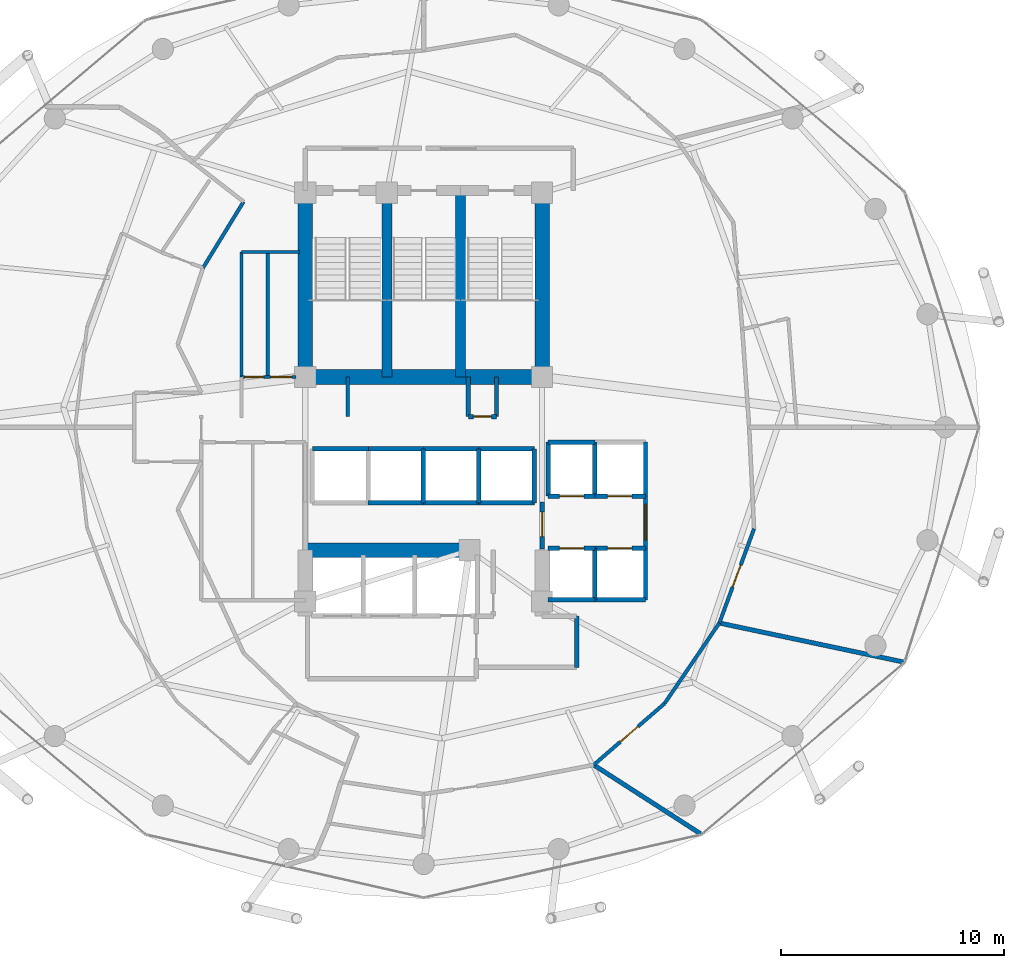
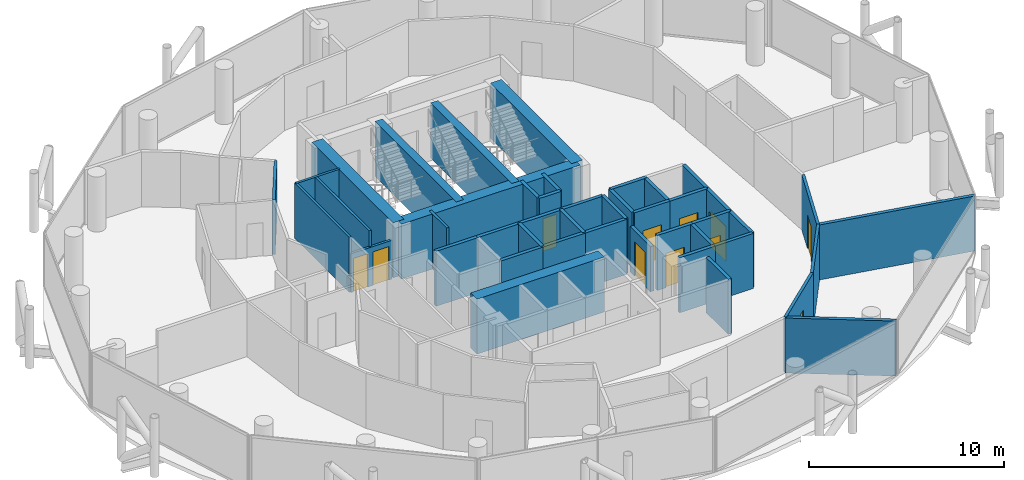
# One storey, part 23 of 26: 45 walls, 11 doors, 11 openings.
"""IFC4 building model written with IfcOpenShell, lengths in metres."""

from ifc_helpers import new_model, si_unit, direction, frame, frame_2d, origin, place, context, subcontext, project, spatial, rectangle, extrude, material, layer, layer_set, type_object, element, fill, save


model = new_model("IFC4")

# Units and contexts
model_context = context("Model", 3, precision=1e-05, world=origin(), true_north=direction((0.0, 1.0)))
body_context = subcontext(model_context, "Body", "Model", "MODEL_VIEW")
ifc_project = project(units=[si_unit("LENGTHUNIT", "METRE"), si_unit("AREAUNIT", "SQUARE_METRE"), si_unit("VOLUMEUNIT", "CUBIC_METRE"), si_unit("PLANEANGLEUNIT", "RADIAN"), si_unit("MASSUNIT", "GRAM", prefix="KILO")], contexts=[model_context])

# Site, building, storey
site_placement = place(None, origin())
site = spatial("IfcSite", under=ifc_project, at=site_placement, CompositionType="ELEMENT")
building_placement = place(site_placement, origin())
building = spatial("IfcBuilding", under=site, at=building_placement, Name="Nuhasar Tower", CompositionType="ELEMENT")
storey_placement = place(building_placement, frame((0.0, 0.0, 181.14990234375)))
storey = spatial("IfcBuildingStorey", under=building, at=storey_placement, Name="L44", CompositionType="ELEMENT", Elevation=181.14990234375)

# Walls
ifc_material_1 = material(Name="Concrete C50/60", Category="concrete")
ifc_layer_1 = layer(ifc_material_1, 0.449951171875)
ifc_layer_set_1 = layer_set([ifc_layer_1], Name="Concrete C50/60")
wall_type_1 = type_object("IfcWallType", Name="WL-CORE-450", PredefinedType="SHEAR", material=ifc_layer_set_1)
for number, where, z_axis, x_axis, name in (
    (1, (37.35009765625, 29.050048828125, 0.0), (0.0, 0.0, 1.0), (0.0, 1.0, 0.0), "L44 Stairwell Shear Wall ST01-E"),
    (2, (40.64990234375, 29.050048828125, 0.0), (0.0, 0.0, 1.0), (0.0, 1.0, 0.0), "L44 Stairwell Shear Wall ST03-E"),
):
    element("IfcWall", number, at=place(storey_placement, frame(where, z_axis=z_axis, x_axis=x_axis)), inside=storey, type_object=wall_type_1, Name=name, PredefinedType="SHEAR", context=body_context, shape_type="SweptSolid", body=[
        extrude(rectangle(XDim=8.349853515625, YDim=0.449951171875, at=frame_2d((4.1748046875, 0.0))), origin(), (0.0, 0.0, 1.0), 3.4501953125),
    ])
ifc_material_2 = material(Name="Concrete C65/80", Category="concrete")
ifc_layer_2 = layer(ifc_material_2, 0.64990234375)
ifc_layer_set_2 = layer_set([ifc_layer_2], Name="Concrete C65/80")
wall_type_2 = type_object("IfcWallType", Name="WL-CORE-650", PredefinedType="SHEAR", material=ifc_layer_set_2)
for number, where, z_axis, x_axis, name in (
    (3, (33.699951171875, 29.050048828125, 0.0), (0.0, 0.0, 1.0), (0.0, 1.0, 0.0), "L44 Core Shear Wall CW-NW CW-650"),
    (4, (44.300048828125, 29.050048828125, 0.0), (0.0, 0.0, 1.0), (0.0, 1.0, 0.0), "L44 Core Shear Wall CW-NE CW-650"),
):
    element("IfcWall", number, at=place(storey_placement, frame(where, z_axis=z_axis, x_axis=x_axis)), inside=storey, type_object=wall_type_2, Name=name, PredefinedType="SHEAR", context=body_context, shape_type="SweptSolid", body=[
        extrude(rectangle(XDim=8.349853515625, YDim=0.64990234375, at=frame_2d((4.1748046875, 0.0))), origin(), (0.0, 0.0, 1.0), 3.4501953125),
    ])
wall_1_placement = place(storey_placement, frame((33.699951171875, 29.050048828125, 0.0), z_axis=(0.0, 0.0, 1.0), x_axis=(1.0, 0.0, 0.0)))
element("IfcWall", 5, at=wall_1_placement, inside=storey, type_object=wall_type_2, Name="L44 Core Shear Wall CW-N1 CW-650", PredefinedType="SHEAR", context=body_context, shape_type="SweptSolid", body=[
    extrude(rectangle(XDim=10.60009765625, YDim=0.64990234375, at=frame_2d((5.300048828125, 0.0))), origin(), (0.0, 0.0, 1.0), 3.4501953125),
])
wall_2_placement = place(storey_placement, frame((33.699951171875, 21.300048828125, 0.0), z_axis=(0.0, 0.0, 1.0), x_axis=(1.0, 0.0, 0.0)))
element("IfcWall", 6, at=wall_2_placement, inside=storey, type_object=wall_type_2, Name="L44 Core Shear Wall CW-S1 CW-650", PredefinedType="SHEAR", context=body_context, shape_type="SweptSolid", body=[
    extrude(rectangle(XDim=7.550048828125, YDim=0.64990234375, at=frame_2d((3.77490234375, 0.0))), origin(), (0.0, 0.0, 1.0), 3.4501953125),
])

# Wall, opening, door
ifc_material_3 = material(Name="Gypsum Board", Category="gypsum")
ifc_layer_3 = layer(ifc_material_3, 0.159912109375)
ifc_layer_set_3 = layer_set([ifc_layer_3], Name="Gypsum Board")
wall_type_3 = type_object("IfcWallType", Name="WL-CORR-160", PredefinedType="PARTITIONING", material=ifc_layer_set_3)
wall_3_placement = place(storey_placement, frame((49.782958984375, 14.43505859375, 0.0), z_axis=(0.0, 0.0, 1.0), x_axis=(-0.755896308725, -0.65469135511, 0.0)))
wall_3 = element("IfcWall", 7, at=wall_3_placement, inside=storey, type_object=wall_type_3, Name="L44 Interior Partition CORR-40", PredefinedType="PARTITIONING", context=body_context, shape_type="SweptSolid", body=[
    extrude(rectangle(XDim=4.197509765625, YDim=0.159912109375, at=frame_2d((2.0986328125, 0.0))), origin(), (0.0, 0.0, 1.0), 3.4501953125),
])
opening_1_placement = place(wall_3_placement, frame((1.573974609375, 0.0, 0.0)))
opening_1 = element("IfcOpeningElement", 8, at=opening_1_placement, cuts=wall_3, Name="Opening DU-01", PredefinedType="OPENING", context=body_context, shape_type="SweptSolid", body=[
    extrude(rectangle(XDim=1.050048828125, YDim=2.14990234375, at=frame_2d((0.52490234375, 1.074951171875))), frame((0.0, 0.08984375, 0.0), z_axis=(0.0, -1.0, 0.0), x_axis=(1.0, 0.0, 0.0)), (0.0, 0.0, 1.0), 0.179931640625),
])
ifc_material_4 = material(Name="Timber Oak", Category="wood")
door_type_1 = type_object("IfcDoorType", Name="DR-SUITE-FD60-1050", OperationType="NOTDEFINED", PredefinedType="DOOR", material=ifc_material_4)
door_1_placement = place(opening_1_placement, origin())
door_1 = element("IfcDoor", 9, at=door_1_placement, inside=storey, type_object=door_type_1, Name="L44 Artisan Gift Boutique Entrance Door", OperationType="SINGLE_SWING_RIGHT", OverallHeight=2.14990234375, OverallWidth=1.050048828125, PredefinedType="DOOR", context=body_context, shape_type="SweptSolid", body=[
    extrude(rectangle(XDim=1.050048828125, YDim=2.14990234375, at=frame_2d((0.52490234375, 1.074951171875))), frame((0.0, 0.02490234375, 0.0), z_axis=(0.0, -1.0, 0.0), x_axis=(1.0, 0.0, 0.0)), (0.0, 0.0, 1.0), 0.050048828125),
])
fill(opening_1, door_1)

# Wall
wall_4_placement = place(storey_placement, frame((49.782958984375, 14.43505859375, 0.0), z_axis=(0.0, 0.0, 1.0), x_axis=(0.562637868463, 0.826703471005, 0.0)))
element("IfcWall", 10, at=wall_4_placement, inside=storey, type_object=wall_type_3, Name="L44 Interior Partition CORR-42", PredefinedType="PARTITIONING", context=body_context, shape_type="SweptSolid", body=[
    extrude(rectangle(XDim=4.3583984375, YDim=0.159912109375, at=frame_2d((2.17919921875, 0.0))), origin(), (0.0, 0.0, 1.0), 3.4501953125),
])

# Wall, opening, door
wall_5_placement = place(storey_placement, frame((53.7880859375, 22.256103515625, 0.0), z_axis=(0.0, 0.0, 1.0), x_axis=(-0.345503984286, -0.938417282898, 0.0)))
wall_5 = element("IfcWall", 11, at=wall_5_placement, inside=storey, type_object=wall_type_3, Name="L44 Interior Partition CORR-44", PredefinedType="PARTITIONING", context=body_context, shape_type="SweptSolid", body=[
    extrude(rectangle(XDim=4.494873046875, YDim=0.159912109375, at=frame_2d((2.24755859375, 0.0))), origin(), (0.0, 0.0, 1.0), 3.4501953125),
])
opening_2_placement = place(wall_5_placement, frame((1.721923828125, 0.0, 0.0)))
opening_2 = element("IfcOpeningElement", 12, at=opening_2_placement, cuts=wall_5, Name="Opening DU-01", PredefinedType="OPENING", context=body_context, shape_type="SweptSolid", body=[
    extrude(rectangle(XDim=1.050048828125, YDim=2.14990234375, at=frame_2d((0.52490234375, 1.074951171875))), frame((0.0, 0.08984375, 0.0), z_axis=(0.0, -1.0, 0.0), x_axis=(1.0, 0.0, 0.0)), (0.0, 0.0, 1.0), 0.179931640625),
])
door_2_placement = place(opening_2_placement, origin())
door_2 = element("IfcDoor", 13, at=door_2_placement, inside=storey, type_object=door_type_1, Name="L44 Red Sea Pearl Showroom Entrance Door", OperationType="SINGLE_SWING_RIGHT", OverallHeight=2.14990234375, OverallWidth=1.050048828125, PredefinedType="DOOR", context=body_context, shape_type="SweptSolid", body=[
    extrude(rectangle(XDim=1.050048828125, YDim=2.14990234375, at=frame_2d((0.52490234375, 1.074951171875))), frame((0.0, 0.02490234375, 0.0), z_axis=(0.0, -1.0, 0.0), x_axis=(1.0, 0.0, 0.0)), (0.0, 0.0, 1.0), 0.050048828125),
])
fill(opening_2, door_2)

# Wall
wall_6_placement = place(storey_placement, frame((30.93896484375, 36.89697265625, 0.0), z_axis=(0.0, 0.0, 1.0), x_axis=(-0.522486120877, -0.852647789823, 0.0)))
element("IfcWall", 14, at=wall_6_placement, inside=storey, type_object=wall_type_3, Name="L44 Interior Partition HWEST-CORE-N-18", PredefinedType="PARTITIONING", context=body_context, shape_type="SweptSolid", body=[
    extrude(rectangle(XDim=3.468017578125, YDim=0.159912109375, at=frame_2d((1.73388671875, 0.0))), origin(), (0.0, 0.0, 1.0), 3.4501953125),
])

# Wall, opening, door
ifc_material_5 = material(Name="Concrete C45/55", Category="concrete")
ifc_layer_4 = layer(ifc_material_5, 0.199951171875)
ifc_layer_set_4 = layer_set([ifc_layer_4], Name="Concrete C45/55")
wall_type_4 = type_object("IfcWallType", Name="WL-LOBBY-200", PredefinedType="SOLIDWALL", material=ifc_layer_set_4)
wall_7_placement = place(storey_placement, frame((48.929931640625, 21.3798828125, 0.0), z_axis=(0.0, 0.0, 1.0), x_axis=(0.0, 1.0, 0.0)))
wall_7 = element("IfcWall", 15, at=wall_7_placement, inside=storey, type_object=wall_type_4, Name="L44 Interior Partition LLBM-E", PredefinedType="SOLIDWALL", context=body_context, shape_type="SweptSolid", body=[
    extrude(rectangle(XDim=2.340087890625, YDim=0.199951171875, at=frame_2d((1.169921875, 0.0))), origin(), (0.0, 0.0, 1.0), 3.4501953125),
])
opening_3_placement = place(wall_7_placement, frame((0.3701171875, 0.0, 0.0)))
opening_3 = element("IfcOpeningElement", 16, at=opening_3_placement, cuts=wall_7, Name="Opening DC-01", PredefinedType="OPENING", context=body_context, shape_type="SweptSolid", body=[
    extrude(rectangle(XDim=1.60009765625, YDim=2.199951171875, at=frame_2d((0.800048828125, 1.10009765625))), frame((0.0, 0.10986328125, 0.0), z_axis=(0.0, -1.0, 0.0), x_axis=(1.0, 0.0, 0.0)), (0.0, 0.0, 1.0), 0.219970703125),
])
ifc_material_6 = material(Name="Steel S355", Category="steel")
door_type_2 = type_object("IfcDoorType", Name="DR-CORR-FD60-1600", OperationType="DOUBLE_DOOR_SINGLE_SWING", PredefinedType="DOOR", material=ifc_material_6)
door_3_placement = place(opening_3_placement, origin())
door_3 = element("IfcDoor", 17, at=door_3_placement, inside=storey, type_object=door_type_2, Name="L44 Mid-Rise Lift Lobby East Entry", OperationType="DOUBLE_DOOR_SINGLE_SWING", OverallHeight=2.199951171875, OverallWidth=1.60009765625, PredefinedType="DOOR", context=body_context, shape_type="SweptSolid", body=[
    extrude(rectangle(XDim=1.60009765625, YDim=2.199951171875, at=frame_2d((0.800048828125, 1.10009765625))), frame((0.0, 0.02490234375, 0.0), z_axis=(0.0, -1.0, 0.0), x_axis=(1.0, 0.0, 0.0)), (0.0, 0.0, 1.0), 0.050048828125),
])
fill(opening_3, door_3)

wall_8_placement = place(storey_placement, frame((44.300048828125, 21.35009765625, 0.0), z_axis=(0.0, 0.0, 1.0), x_axis=(0.0, 1.0, 0.0)))
wall_8 = element("IfcWall", 18, at=wall_8_placement, inside=storey, type_object=wall_type_4, Name="L44 Interior Partition LLBH-E", PredefinedType="SOLIDWALL", context=body_context, shape_type="SweptSolid", body=[
    extrude(rectangle(XDim=2.099853515625, YDim=0.199951171875, at=frame_2d((1.0498046875, 0.0))), origin(), (0.0, 0.0, 1.0), 2.835205078125),
])
opening_4_placement = place(wall_8_placement, frame((0.550048828125, 0.0, 0.0)))
opening_4 = element("IfcOpeningElement", 19, at=opening_4_placement, cuts=wall_8, Name="Opening DS-02", PredefinedType="OPENING", context=body_context, shape_type="SweptSolid", body=[
    extrude(rectangle(XDim=1.10009765625, YDim=2.14990234375, at=frame_2d((0.550048828125, 1.074951171875))), frame((0.0, 0.10986328125, 0.0), z_axis=(0.0, -1.0, 0.0), x_axis=(1.0, 0.0, 0.0)), (0.0, 0.0, 1.0), 0.219970703125),
])
door_type_3 = type_object("IfcDoorType", Name="DR-FFL-FD120-1100", OperationType="NOTDEFINED", PredefinedType="DOOR", material=ifc_material_6)
door_4_placement = place(opening_4_placement, origin())
door_4 = element("IfcDoor", 20, at=door_4_placement, inside=storey, type_object=door_type_3, Name="L44 High-Rise Lobby East Door", OperationType="SINGLE_SWING_RIGHT", OverallHeight=2.14990234375, OverallWidth=1.10009765625, PredefinedType="DOOR", context=body_context, shape_type="SweptSolid", body=[
    extrude(rectangle(XDim=1.10009765625, YDim=2.14990234375, at=frame_2d((0.550048828125, 1.074951171875))), frame((0.0, 0.02490234375, 0.0), z_axis=(0.0, -1.0, 0.0), x_axis=(1.0, 0.0, 0.0)), (0.0, 0.0, 1.0), 0.050048828125),
])
fill(opening_4, door_4)

# Walls
wall_9_placement = place(storey_placement, frame((45.85009765625, 16.050048828125, 0.0), z_axis=(0.0, 0.0, 1.0), x_axis=(0.0, 1.0, 0.0)))
element("IfcWall", 21, at=wall_9_placement, inside=storey, type_object=wall_type_4, Name="L44 Interior Partition SVLV-E", PredefinedType="SOLIDWALL", context=body_context, shape_type="SweptSolid", body=[
    extrude(rectangle(XDim=2.300048828125, YDim=0.199951171875, at=frame_2d((1.14990234375, 0.0))), origin(), (0.0, 0.0, 1.0), 3.4501953125),
])
ifc_layer_5 = layer(ifc_material_5, 0.199951171875)
ifc_layer_set_5 = layer_set([ifc_layer_5], Name="Concrete C45/55")
wall_type_5 = type_object("IfcWallType", Name="WL-SHAFT-200", PredefinedType="SOLIDWALL", material=ifc_layer_set_5)
for number, where, z_axis, x_axis, name in (
    (22, (41.0, 27.280029296875, 0.0), (0.0, 0.0, 1.0), (0.0, 1.0, 0.0), "L44 Interior Partition RSRN-W"),
    (23, (42.260009765625, 27.280029296875, 0.0), (0.0, 0.0, 1.0), (0.0, 1.0, 0.0), "L44 Interior Partition RSRN-E"),
):
    element("IfcWall", number, at=place(storey_placement, frame(where, z_axis=z_axis, x_axis=x_axis)), inside=storey, type_object=wall_type_5, Name=name, PredefinedType="SOLIDWALL", context=body_context, shape_type="SweptSolid", body=[
        extrude(rectangle(XDim=1.77001953125, YDim=0.199951171875, at=frame_2d((0.885009765625, 0.0))), origin(), (0.0, 0.0, 1.0), 3.4501953125),
    ])

# Wall, opening, door
wall_10_placement = place(storey_placement, frame((41.0, 27.280029296875, 0.0), z_axis=(0.0, 0.0, 1.0), x_axis=(1.0, 0.0, 0.0)))
wall_10 = element("IfcWall", 24, at=wall_10_placement, inside=storey, type_object=wall_type_5, Name="L44 Interior Partition RSRN-S", PredefinedType="SOLIDWALL", context=body_context, shape_type="SweptSolid", body=[
    extrude(rectangle(XDim=1.260009765625, YDim=0.199951171875, at=frame_2d((0.6298828125, 0.0))), origin(), (0.0, 0.0, 1.0), 3.4501953125),
])
opening_5_placement = place(wall_10_placement, frame((0.22998046875, 0.0, 0.0)))
opening_5 = element("IfcOpeningElement", 25, at=opening_5_placement, cuts=wall_10, Name="Opening DM-01", PredefinedType="OPENING", context=body_context, shape_type="SweptSolid", body=[
    extrude(rectangle(XDim=0.800048828125, YDim=2.050048828125, at=frame_2d((0.39990234375, 1.02490234375))), frame((0.0, 0.10986328125, 0.0), z_axis=(0.0, -1.0, 0.0), x_axis=(1.0, 0.0, 0.0)), (0.0, 0.0, 1.0), 0.219970703125),
])
door_type_4 = type_object("IfcDoorType", Name="DR-RISER-FD60-800", OperationType="NOTDEFINED", PredefinedType="DOOR", material=ifc_material_6)
door_5_placement = place(opening_5_placement, origin())
door_5 = element("IfcDoor", 26, at=door_5_placement, inside=storey, type_object=door_type_4, Name="L44 North Smoke Riser Door", OperationType="SINGLE_SWING_RIGHT", OverallHeight=2.050048828125, OverallWidth=0.800048828125, PredefinedType="DOOR", context=body_context, shape_type="SweptSolid", body=[
    extrude(rectangle(XDim=0.800048828125, YDim=2.050048828125, at=frame_2d((0.39990234375, 1.02490234375))), frame((0.0, 0.02490234375, 0.0), z_axis=(0.0, -1.0, 0.0), x_axis=(1.0, 0.0, 0.0)), (0.0, 0.0, 1.0), 0.050048828125),
])
fill(opening_5, door_5)

wall_11_placement = place(storey_placement, frame((44.570068359375, 23.719970703125, 0.0), z_axis=(0.0, 0.0, 1.0), x_axis=(1.0, 0.0, 0.0)))
wall_11 = element("IfcWall", 27, at=wall_11_placement, inside=storey, type_object=wall_type_5, Name="L44 Interior Partition SHF-PL-M01-S", PredefinedType="SOLIDWALL", context=body_context, shape_type="SweptSolid", body=[
    extrude(rectangle(XDim=2.10986328125, YDim=0.199951171875, at=frame_2d((1.054931640625, 0.0))), origin(), (0.0, 0.0, 1.0), 3.4501953125),
])
opening_6_placement = place(wall_11_placement, frame((0.5048828125, 0.0, 0.0)))
opening_6 = element("IfcOpeningElement", 28, at=opening_6_placement, cuts=wall_11, Name="Opening LD-M01", PredefinedType="OPENING", context=body_context, shape_type="SweptSolid", body=[
    extrude(rectangle(XDim=1.10009765625, YDim=2.14990234375, at=frame_2d((0.550048828125, 1.074951171875))), frame((0.0, 0.10986328125, 0.0), z_axis=(0.0, -1.0, 0.0), x_axis=(1.0, 0.0, 0.0)), (0.0, 0.0, 1.0), 0.219970703125),
])
ifc_material_7 = material(Name="Stainless Steel 316L", Category="steel")
door_type_5 = type_object("IfcDoorType", Name="LD-PAX-1100", OperationType="DOUBLE_DOOR_SLIDING", PredefinedType="DOOR", material=ifc_material_7)
door_6_placement = place(opening_6_placement, origin())
door_6 = element("IfcDoor", 29, at=door_6_placement, inside=storey, type_object=door_type_5, Name="L44 Lift Landing Door PL-M01", OperationType="DOUBLE_DOOR_SLIDING", OverallHeight=2.14990234375, OverallWidth=1.10009765625, PredefinedType="DOOR", context=body_context, shape_type="SweptSolid", body=[
    extrude(rectangle(XDim=1.10009765625, YDim=2.14990234375, at=frame_2d((0.550048828125, 1.074951171875))), frame((0.0, 0.02490234375, 0.0), z_axis=(0.0, -1.0, 0.0), x_axis=(1.0, 0.0, 0.0)), (0.0, 0.0, 1.0), 0.050048828125),
])
fill(opening_6, door_6)

# Walls
wall_12_placement = place(storey_placement, frame((44.570068359375, 26.1298828125, 0.0), z_axis=(0.0, 0.0, 1.0), x_axis=(1.0, 0.0, 0.0)))
element("IfcWall", 30, at=wall_12_placement, inside=storey, type_object=wall_type_5, Name="L44 Interior Partition SHF-PL-M01-N", PredefinedType="SOLIDWALL", context=body_context, shape_type="SweptSolid", body=[
    extrude(rectangle(XDim=2.10986328125, YDim=0.199951171875, at=frame_2d((1.054931640625, 0.0))), origin(), (0.0, 0.0, 1.0), 3.4501953125),
])
for number, where, z_axis, x_axis, name in (
    (31, (44.570068359375, 23.719970703125, 0.0), (0.0, 0.0, 1.0), (0.0, 1.0, 0.0), "L44 Interior Partition SHF-PL-M01-W"),
    (32, (46.64990234375, 23.719970703125, 0.0), (0.0, 0.0, 1.0), (0.0, 1.0, 0.0), "L44 Interior Partition SHF-PL-M01-E"),
):
    element("IfcWall", number, at=place(storey_placement, frame(where, z_axis=z_axis, x_axis=x_axis)), inside=storey, type_object=wall_type_5, Name=name, PredefinedType="SOLIDWALL", context=body_context, shape_type="SweptSolid", body=[
        extrude(rectangle(XDim=2.409912109375, YDim=0.199951171875, at=frame_2d((1.205078125, 0.0))), origin(), (0.0, 0.0, 1.0), 3.4501953125),
    ])

# Wall, opening, door
wall_13_placement = place(storey_placement, frame((46.6201171875, 23.719970703125, 0.0), z_axis=(0.0, 0.0, 1.0), x_axis=(1.0, 0.0, 0.0)))
wall_13 = element("IfcWall", 33, at=wall_13_placement, inside=storey, type_object=wall_type_5, Name="L44 Interior Partition SHF-PL-M02-S", PredefinedType="SOLIDWALL", context=body_context, shape_type="SweptSolid", body=[
    extrude(rectangle(XDim=2.309814453125, YDim=0.199951171875, at=frame_2d((1.15478515625, 0.0))), origin(), (0.0, 0.0, 1.0), 3.4501953125),
])
opening_7_placement = place(wall_13_placement, frame((0.60498046875, 0.0, 0.0)))
opening_7 = element("IfcOpeningElement", 34, at=opening_7_placement, cuts=wall_13, Name="Opening LD-M02", PredefinedType="OPENING", context=body_context, shape_type="SweptSolid", body=[
    extrude(rectangle(XDim=1.10009765625, YDim=2.14990234375, at=frame_2d((0.550048828125, 1.074951171875))), frame((0.0, 0.10986328125, 0.0), z_axis=(0.0, -1.0, 0.0), x_axis=(1.0, 0.0, 0.0)), (0.0, 0.0, 1.0), 0.219970703125),
])
door_7_placement = place(opening_7_placement, origin())
door_7 = element("IfcDoor", 35, at=door_7_placement, inside=storey, type_object=door_type_5, Name="L44 Lift Landing Door PL-M02", OperationType="DOUBLE_DOOR_SLIDING", OverallHeight=2.14990234375, OverallWidth=1.10009765625, PredefinedType="DOOR", context=body_context, shape_type="SweptSolid", body=[
    extrude(rectangle(XDim=1.10009765625, YDim=2.14990234375, at=frame_2d((0.550048828125, 1.074951171875))), frame((0.0, 0.02490234375, 0.0), z_axis=(0.0, -1.0, 0.0), x_axis=(1.0, 0.0, 0.0)), (0.0, 0.0, 1.0), 0.050048828125),
])
fill(opening_7, door_7)

# Walls
wall_14_placement = place(storey_placement, frame((48.929931640625, 23.719970703125, 0.0), z_axis=(0.0, 0.0, 1.0), x_axis=(0.0, 1.0, 0.0)))
element("IfcWall", 36, at=wall_14_placement, inside=storey, type_object=wall_type_5, Name="L44 Interior Partition SHF-PL-M02-E", PredefinedType="SOLIDWALL", context=body_context, shape_type="SweptSolid", body=[
    extrude(rectangle(XDim=2.409912109375, YDim=0.199951171875, at=frame_2d((1.205078125, 0.0))), origin(), (0.0, 0.0, 1.0), 3.4501953125),
])
wall_15_placement = place(storey_placement, frame((44.570068359375, 19.070068359375, 0.0), z_axis=(0.0, 0.0, 1.0), x_axis=(1.0, 0.0, 0.0)))
element("IfcWall", 37, at=wall_15_placement, inside=storey, type_object=wall_type_5, Name="L44 Interior Partition SHF-PL-M03-S", PredefinedType="SOLIDWALL", context=body_context, shape_type="SweptSolid", body=[
    extrude(rectangle(XDim=2.10986328125, YDim=0.199951171875, at=frame_2d((1.054931640625, 0.0))), origin(), (0.0, 0.0, 1.0), 3.4501953125),
])

# Wall, opening, door
wall_16_placement = place(storey_placement, frame((44.570068359375, 21.3798828125, 0.0), z_axis=(0.0, 0.0, 1.0), x_axis=(1.0, 0.0, 0.0)))
wall_16 = element("IfcWall", 38, at=wall_16_placement, inside=storey, type_object=wall_type_5, Name="L44 Interior Partition SHF-PL-M03-N", PredefinedType="SOLIDWALL", context=body_context, shape_type="SweptSolid", body=[
    extrude(rectangle(XDim=2.10986328125, YDim=0.199951171875, at=frame_2d((1.054931640625, 0.0))), origin(), (0.0, 0.0, 1.0), 3.4501953125),
])
opening_8_placement = place(wall_16_placement, frame((0.5048828125, 0.0, 0.0)))
opening_8 = element("IfcOpeningElement", 39, at=opening_8_placement, cuts=wall_16, Name="Opening LD-M03", PredefinedType="OPENING", context=body_context, shape_type="SweptSolid", body=[
    extrude(rectangle(XDim=1.10009765625, YDim=2.14990234375, at=frame_2d((0.550048828125, 1.074951171875))), frame((0.0, 0.10986328125, 0.0), z_axis=(0.0, -1.0, 0.0), x_axis=(1.0, 0.0, 0.0)), (0.0, 0.0, 1.0), 0.219970703125),
])
door_8_placement = place(opening_8_placement, origin())
door_8 = element("IfcDoor", 40, at=door_8_placement, inside=storey, type_object=door_type_5, Name="L44 Lift Landing Door PL-M03", OperationType="DOUBLE_DOOR_SLIDING", OverallHeight=2.14990234375, OverallWidth=1.10009765625, PredefinedType="DOOR", context=body_context, shape_type="SweptSolid", body=[
    extrude(rectangle(XDim=1.10009765625, YDim=2.14990234375, at=frame_2d((0.550048828125, 1.074951171875))), frame((0.0, 0.02490234375, 0.0), z_axis=(0.0, -1.0, 0.0), x_axis=(1.0, 0.0, 0.0)), (0.0, 0.0, 1.0), 0.050048828125),
])
fill(opening_8, door_8)

# Walls
for number, where, z_axis, x_axis, name in (
    (41, (46.64990234375, 19.070068359375, 0.0), (0.0, 0.0, 1.0), (0.0, 1.0, 0.0), "L44 Interior Partition SHF-PL-M03-E"),
    (42, (46.6201171875, 19.070068359375, 0.0), (0.0, 0.0, 1.0), (1.0, 0.0, 0.0), "L44 Interior Partition SHF-PL-M04-S"),
):
    element("IfcWall", number, at=place(storey_placement, frame(where, z_axis=z_axis, x_axis=x_axis)), inside=storey, type_object=wall_type_5, Name=name, PredefinedType="SOLIDWALL", context=body_context, shape_type="SweptSolid", body=[
        extrude(rectangle(XDim=2.309814453125, YDim=0.199951171875, at=frame_2d((1.15478515625, 0.0))), origin(), (0.0, 0.0, 1.0), 3.4501953125),
    ])

# Wall, opening, door
wall_17_placement = place(storey_placement, frame((46.6201171875, 21.3798828125, 0.0), z_axis=(0.0, 0.0, 1.0), x_axis=(1.0, 0.0, 0.0)))
wall_17 = element("IfcWall", 43, at=wall_17_placement, inside=storey, type_object=wall_type_5, Name="L44 Interior Partition SHF-PL-M04-N", PredefinedType="SOLIDWALL", context=body_context, shape_type="SweptSolid", body=[
    extrude(rectangle(XDim=2.309814453125, YDim=0.199951171875, at=frame_2d((1.15478515625, 0.0))), origin(), (0.0, 0.0, 1.0), 3.4501953125),
])
opening_9_placement = place(wall_17_placement, frame((0.60498046875, 0.0, 0.0)))
opening_9 = element("IfcOpeningElement", 44, at=opening_9_placement, cuts=wall_17, Name="Opening LD-M04", PredefinedType="OPENING", context=body_context, shape_type="SweptSolid", body=[
    extrude(rectangle(XDim=1.10009765625, YDim=2.14990234375, at=frame_2d((0.550048828125, 1.074951171875))), frame((0.0, 0.10986328125, 0.0), z_axis=(0.0, -1.0, 0.0), x_axis=(1.0, 0.0, 0.0)), (0.0, 0.0, 1.0), 0.219970703125),
])
door_9_placement = place(opening_9_placement, origin())
door_9 = element("IfcDoor", 45, at=door_9_placement, inside=storey, type_object=door_type_5, Name="L44 Lift Landing Door PL-M04", OperationType="DOUBLE_DOOR_SLIDING", OverallHeight=2.14990234375, OverallWidth=1.10009765625, PredefinedType="DOOR", context=body_context, shape_type="SweptSolid", body=[
    extrude(rectangle(XDim=1.10009765625, YDim=2.14990234375, at=frame_2d((0.550048828125, 1.074951171875))), frame((0.0, 0.02490234375, 0.0), z_axis=(0.0, -1.0, 0.0), x_axis=(1.0, 0.0, 0.0)), (0.0, 0.0, 1.0), 0.050048828125),
])
fill(opening_9, door_9)

# Walls
wall_18_placement = place(storey_placement, frame((48.929931640625, 19.070068359375, 0.0), z_axis=(0.0, 0.0, 1.0), x_axis=(0.0, 1.0, 0.0)))
element("IfcWall", 46, at=wall_18_placement, inside=storey, type_object=wall_type_5, Name="L44 Interior Partition SHF-PL-M04-E", PredefinedType="SOLIDWALL", context=body_context, shape_type="SweptSolid", body=[
    extrude(rectangle(XDim=2.309814453125, YDim=0.199951171875, at=frame_2d((1.15478515625, 0.0))), origin(), (0.0, 0.0, 1.0), 3.4501953125),
])
for number, where, z_axis, x_axis, name in (
    (47, (34.02001953125, 25.830078125, 0.0), (0.0, 0.0, 1.0), (1.0, 0.0, 0.0), "L44 Interior Partition SHF-PL-H01-N"),
    (48, (36.5, 23.419921875, 0.0), (0.0, 0.0, 1.0), (1.0, 0.0, 0.0), "L44 Interior Partition SHF-PL-H02-S"),
    (49, (36.5, 25.830078125, 0.0), (0.0, 0.0, 1.0), (1.0, 0.0, 0.0), "L44 Interior Partition SHF-PL-H02-N"),
):
    element("IfcWall", number, at=place(storey_placement, frame(where, z_axis=z_axis, x_axis=x_axis)), inside=storey, type_object=wall_type_5, Name=name, PredefinedType="SOLIDWALL", context=body_context, shape_type="SweptSolid", body=[
        extrude(rectangle(XDim=2.5, YDim=0.199951171875, at=frame_2d((1.25, 0.0))), origin(), (0.0, 0.0, 1.0), 3.4501953125),
    ])
wall_19_placement = place(storey_placement, frame((38.989990234375, 23.419921875, 0.0), z_axis=(0.0, 0.0, 1.0), x_axis=(0.0, 1.0, 0.0)))
element("IfcWall", 50, at=wall_19_placement, inside=storey, type_object=wall_type_5, Name="L44 Interior Partition SHF-PL-H02-E", PredefinedType="SOLIDWALL", context=body_context, shape_type="SweptSolid", body=[
    extrude(rectangle(XDim=2.41015625, YDim=0.199951171875, at=frame_2d((1.205078125, 0.0))), origin(), (0.0, 0.0, 1.0), 3.4501953125),
])
for number, where, z_axis, x_axis, name in (
    (51, (38.97998046875, 23.419921875, 0.0), (0.0, 0.0, 1.0), (1.0, 0.0, 0.0), "L44 Interior Partition SHF-PL-H03-S"),
    (52, (38.97998046875, 25.830078125, 0.0), (0.0, 0.0, 1.0), (1.0, 0.0, 0.0), "L44 Interior Partition SHF-PL-H03-N"),
):
    element("IfcWall", number, at=place(storey_placement, frame(where, z_axis=z_axis, x_axis=x_axis)), inside=storey, type_object=wall_type_5, Name=name, PredefinedType="SOLIDWALL", context=body_context, shape_type="SweptSolid", body=[
        extrude(rectangle(XDim=2.5, YDim=0.199951171875, at=frame_2d((1.25, 0.0))), origin(), (0.0, 0.0, 1.0), 3.4501953125),
    ])
wall_20_placement = place(storey_placement, frame((41.469970703125, 23.419921875, 0.0), z_axis=(0.0, 0.0, 1.0), x_axis=(0.0, 1.0, 0.0)))
element("IfcWall", 53, at=wall_20_placement, inside=storey, type_object=wall_type_5, Name="L44 Interior Partition SHF-PL-H03-E", PredefinedType="SOLIDWALL", context=body_context, shape_type="SweptSolid", body=[
    extrude(rectangle(XDim=2.41015625, YDim=0.199951171875, at=frame_2d((1.205078125, 0.0))), origin(), (0.0, 0.0, 1.0), 3.4501953125),
])
for number, where, z_axis, x_axis, name in (
    (54, (41.4599609375, 23.419921875, 0.0), (0.0, 0.0, 1.0), (1.0, 0.0, 0.0), "L44 Interior Partition SHF-PL-H04-S"),
    (55, (41.4599609375, 25.830078125, 0.0), (0.0, 0.0, 1.0), (1.0, 0.0, 0.0), "L44 Interior Partition SHF-PL-H04-N"),
):
    element("IfcWall", number, at=place(storey_placement, frame(where, z_axis=z_axis, x_axis=x_axis)), inside=storey, type_object=wall_type_5, Name=name, PredefinedType="SOLIDWALL", context=body_context, shape_type="SweptSolid", body=[
        extrude(rectangle(XDim=2.5, YDim=0.199951171875, at=frame_2d((1.25, 0.0))), origin(), (0.0, 0.0, 1.0), 3.4501953125),
    ])
wall_21_placement = place(storey_placement, frame((43.9599609375, 23.419921875, 0.0), z_axis=(0.0, 0.0, 1.0), x_axis=(0.0, 1.0, 0.0)))
element("IfcWall", 56, at=wall_21_placement, inside=storey, type_object=wall_type_5, Name="L44 Interior Partition SHF-PL-H04-E", PredefinedType="SOLIDWALL", context=body_context, shape_type="SweptSolid", body=[
    extrude(rectangle(XDim=2.41015625, YDim=0.199951171875, at=frame_2d((1.205078125, 0.0))), origin(), (0.0, 0.0, 1.0), 3.4501953125),
])
ifc_material_8 = material(Name="Concrete C40/50 precast", Category="concrete")
ifc_layer_6 = layer(ifc_material_8, 0.199951171875)
ifc_layer_set_6 = layer_set([ifc_layer_6], Name="Concrete C40/50 precast")
wall_type_6 = type_object("IfcWallType", Name="WL-UNIT-200", PredefinedType="PARTITIONING", material=ifc_layer_set_6)
wall_22_placement = place(storey_placement, frame((46.610107421875, 11.68701171875, 0.0), z_axis=(0.0, 0.0, 1.0), x_axis=(0.840593516662, -0.541666446944, 0.0)))
element("IfcWall", 57, at=wall_22_placement, inside=storey, type_object=wall_type_6, Name="L44 Interior Partition HRAD-40", PredefinedType="PARTITIONING", context=body_context, shape_type="SweptSolid", body=[
    extrude(rectangle(XDim=5.7138671875, YDim=0.199951171875, at=frame_2d((2.85693359375, 0.0))), origin(), (0.0, 0.0, 1.0), 3.4501953125),
])
wall_23_placement = place(storey_placement, frame((52.235107421875, 18.0380859375, 0.0), z_axis=(0.0, 0.0, 1.0), x_axis=(0.978281565775, -0.207280433388, 0.0)))
element("IfcWall", 58, at=wall_23_placement, inside=storey, type_object=wall_type_6, Name="L44 Interior Partition HRAD-44", PredefinedType="PARTITIONING", context=body_context, shape_type="SweptSolid", body=[
    extrude(rectangle(XDim=8.447265625, YDim=0.199951171875, at=frame_2d((4.2236328125, 0.0))), origin(), (0.0, 0.0, 1.0), 3.4501953125),
])
ifc_layer_7 = layer(ifc_material_8, 0.139892578125)
ifc_layer_set_7 = layer_set([ifc_layer_7], Name="Concrete C40/50 precast")
wall_type_7 = type_object("IfcWallType", Name="WL-WET-140", PredefinedType="PARTITIONING", material=ifc_layer_set_7)
wall_24_placement = place(storey_placement, frame((35.60009765625, 27.280029296875, 0.0), z_axis=(0.0, 0.0, 1.0), x_axis=(0.0, 1.0, 0.0)))
element("IfcWall", 59, at=wall_24_placement, inside=storey, type_object=wall_type_7, Name="L44 Interior Partition CSVC-W", PredefinedType="PARTITIONING", context=body_context, shape_type="SweptSolid", body=[
    extrude(rectangle(XDim=1.77001953125, YDim=0.139892578125, at=frame_2d((0.885009765625, 0.0))), origin(), (0.0, 0.0, 1.0), 3.4501953125),
])

# Wall, openings, doors
wall_25_placement = place(storey_placement, frame((30.85009765625, 29.050048828125, 0.0), z_axis=(0.0, 0.0, 1.0), x_axis=(1.0, 0.0, 0.0)))
wall_25 = element("IfcWall", 60, at=wall_25_placement, inside=storey, type_object=wall_type_7, Name="L44 Interior Partition K2-NW-S", PredefinedType="PARTITIONING", context=body_context, shape_type="SweptSolid", body=[
    extrude(rectangle(XDim=2.429931640625, YDim=0.139892578125, at=frame_2d((1.21484375, 0.0))), origin(), (0.0, 0.0, 1.0), 2.440185546875),
])
opening_10_placement = place(wall_25_placement, frame((0.139892578125, 0.0, 0.0)))
opening_10 = element("IfcOpeningElement", 61, at=opening_10_placement, cuts=wall_25, Name="Opening DB-01", PredefinedType="OPENING", context=body_context, shape_type="SweptSolid", body=[
    extrude(rectangle(XDim=0.85009765625, YDim=2.10009765625, at=frame_2d((0.425048828125, 1.050048828125))), frame((0.0, 0.080078125, 0.0), z_axis=(0.0, -1.0, 0.0), x_axis=(1.0, 0.0, 0.0)), (0.0, 0.0, 1.0), 0.159912109375),
])
opening_11_placement = place(wall_25_placement, frame((1.300048828125, 0.0, 0.0)))
opening_11 = element("IfcOpeningElement", 62, at=opening_11_placement, cuts=wall_25, Name="Opening DA-01", PredefinedType="OPENING", context=body_context, shape_type="SweptSolid", body=[
    extrude(rectangle(XDim=0.949951171875, YDim=2.10009765625, at=frame_2d((0.47509765625, 1.050048828125))), frame((0.0, 0.080078125, 0.0), z_axis=(0.0, -1.0, 0.0), x_axis=(1.0, 0.0, 0.0)), (0.0, 0.0, 1.0), 0.159912109375),
])
door_type_6 = type_object("IfcDoorType", Name="DR-ACCWC-950", OperationType="NOTDEFINED", PredefinedType="DOOR", material=ifc_material_4)
door_10_placement = place(opening_11_placement, origin())
door_10 = element("IfcDoor", 63, at=door_10_placement, inside=storey, type_object=door_type_6, Name="L44 NW Accessible WC Door", OperationType="SINGLE_SWING_RIGHT", OverallHeight=2.10009765625, OverallWidth=0.949951171875, PredefinedType="DOOR", context=body_context, shape_type="SweptSolid", body=[
    extrude(rectangle(XDim=0.949951171875, YDim=2.10009765625, at=frame_2d((0.47509765625, 1.050048828125))), frame((0.0, 0.02490234375, 0.0), z_axis=(0.0, -1.0, 0.0), x_axis=(1.0, 0.0, 0.0)), (0.0, 0.0, 1.0), 0.050048828125),
])
fill(opening_11, door_10)
door_type_7 = type_object("IfcDoorType", Name="DR-BATH-850", OperationType="NOTDEFINED", PredefinedType="DOOR", material=ifc_material_4)
door_11_placement = place(opening_10_placement, origin())
door_11 = element("IfcDoor", 64, at=door_11_placement, inside=storey, type_object=door_type_7, Name="L44 NW Female WC Door", OperationType="SINGLE_SWING_LEFT", OverallHeight=2.10009765625, OverallWidth=0.85009765625, PredefinedType="DOOR", context=body_context, shape_type="SweptSolid", body=[
    extrude(rectangle(XDim=0.85009765625, YDim=2.10009765625, at=frame_2d((0.425048828125, 1.050048828125))), frame((0.0, 0.02490234375, 0.0), z_axis=(0.0, -1.0, 0.0), x_axis=(1.0, 0.0, 0.0)), (0.0, 0.0, 1.0), 0.050048828125),
])
fill(opening_10, door_11)

# Walls
wall_26_placement = place(storey_placement, frame((32.02001953125, 29.050048828125, 0.0), z_axis=(0.0, 0.0, 1.0), x_axis=(0.0, 1.0, 0.0)))
element("IfcWall", 65, at=wall_26_placement, inside=storey, type_object=wall_type_7, Name="L44 Interior Partition K2-NW-V", PredefinedType="PARTITIONING", context=body_context, shape_type="SweptSolid", body=[
    extrude(rectangle(XDim=5.599853515625, YDim=0.139892578125, at=frame_2d((2.7998046875, 0.0))), origin(), (0.0, 0.0, 1.0), 3.4501953125),
])
wall_27_placement = place(storey_placement, frame((30.85009765625, 34.64990234375, 0.0), z_axis=(0.0, 0.0, 1.0), x_axis=(1.0, 0.0, 0.0)))
element("IfcWall", 66, at=wall_27_placement, inside=storey, type_object=wall_type_7, Name="L44 Interior Partition K2-NW-N", PredefinedType="PARTITIONING", context=body_context, shape_type="SweptSolid", body=[
    extrude(rectangle(XDim=2.599853515625, YDim=0.139892578125, at=frame_2d((1.2998046875, 0.0))), origin(), (0.0, 0.0, 1.0), 3.4501953125),
])
wall_28_placement = place(storey_placement, frame((30.85009765625, 29.050048828125, 0.0), z_axis=(0.0, 0.0, 1.0), x_axis=(0.0, 1.0, 0.0)))
element("IfcWall", 67, at=wall_28_placement, inside=storey, type_object=wall_type_7, Name="L44 Interior Partition K2-NW-W", PredefinedType="PARTITIONING", context=body_context, shape_type="SweptSolid", body=[
    extrude(rectangle(XDim=5.599853515625, YDim=0.139892578125, at=frame_2d((2.7998046875, 0.0))), origin(), (0.0, 0.0, 1.0), 3.4501953125),
])

save(model, "model.ifc")
